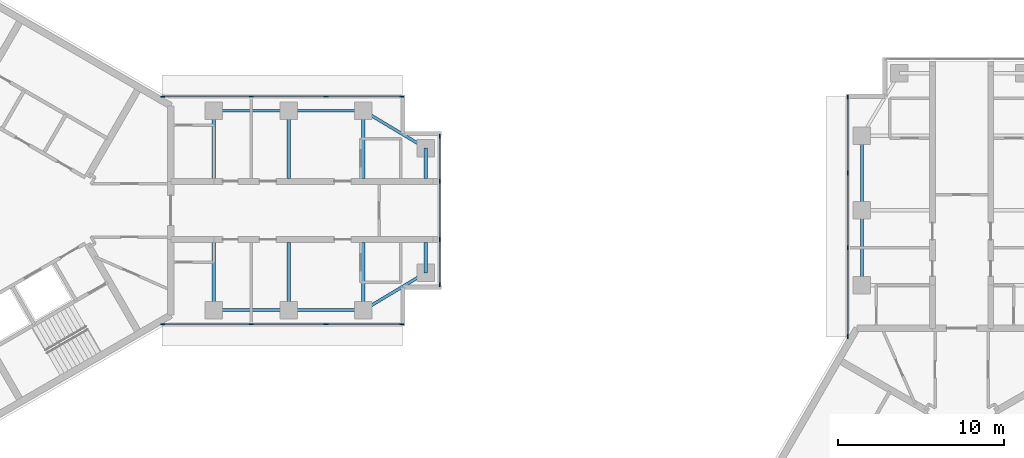
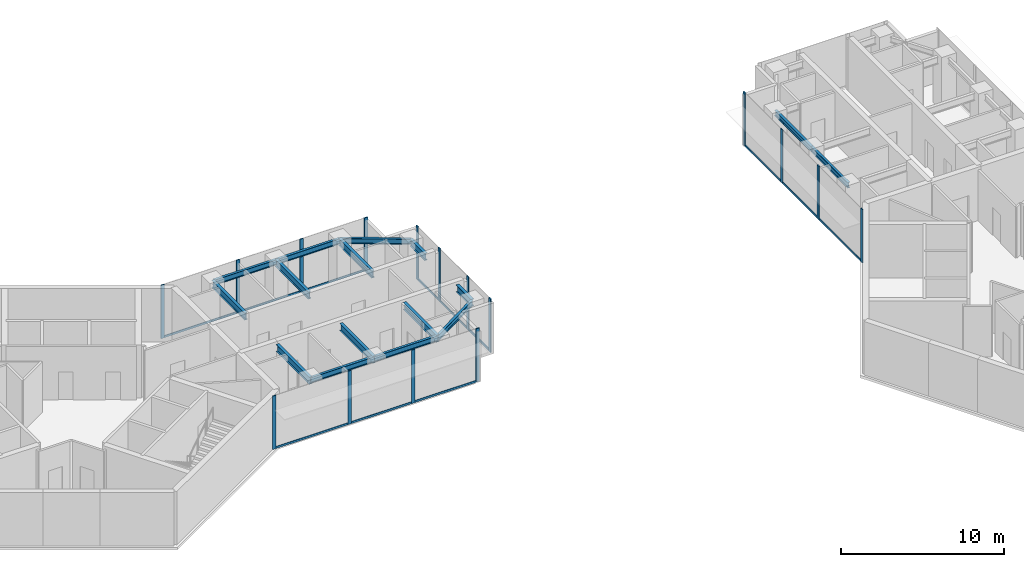
# One storey, part 2 of 11: 28 members, 16 beams, 4 elements without a shape of their own.
"""IFC4 building model written with IfcOpenShell, lengths in metres."""

import ifcopenshell
import ifcopenshell.guid

model = None  # the IFC model being written
_history = None  # IfcOwnerHistory: only IFC2X3 demands one
_inside = {}  # id of a spatial element -> (the spatial element, [elements in it])
_under = {}  # id of a project, library or spatial element -> (it, [spatial elements below it])
_declared = {}  # id of a project -> (the project, [libraries it declares])
_typed = {}  # id of a type object -> (the type object, [elements of that type])
_made_of = {}  # id of a material, layer set ... -> (it, [elements and type objects made of it])


def new_model(schema):
    """Start an empty IFC model of exactly this schema.

    Asked for "IFC4X3", IfcOpenShell would pick the latest addendum, in which some entities
    have other attributes; the version numbers below select the first issue.
    IFC2X3 requires an IfcOwnerHistory on every rooted entity: one is made here for all.
    """
    global model, _history
    if schema == "IFC4X3":
        model = ifcopenshell.file(schema_version=(4, 3, 0, 0))
    else:
        model = ifcopenshell.file(schema=schema)
    _inside.clear()
    _under.clear()
    _declared.clear()
    _typed.clear()
    _made_of.clear()
    _history = None
    if model.schema == "IFC2X3":
        org = make("IfcOrganization", Name="unknown")
        user = make(
            "IfcPersonAndOrganization",
            ThePerson=make("IfcPerson", FamilyName="unknown"),
            TheOrganization=org,
        )
        app = make(
            "IfcApplication",
            ApplicationDeveloper=org,
            Version="unknown",
            ApplicationFullName="unknown",
            ApplicationIdentifier="unknown",
        )
        _history = make(
            "IfcOwnerHistory",
            OwningUser=user,
            OwningApplication=app,
            ChangeAction="ADDED",
            CreationDate=0,
        )
    return model


def make(cls, **values):
    """One entity of the class cls with the attributes given. An attribute that is None is left unset."""
    return model.create_entity(
        cls, **{name: value for name, value in values.items() if value is not None}
    )


def rooted(cls, **values):
    """An entity with a GlobalId (a new one), such as an element, a storey or a relation."""
    return make(cls, GlobalId=ifcopenshell.guid.new(), OwnerHistory=_history, **values)


def si_unit(unit_type, name, prefix=None):
    """IfcSIUnit, for example si_unit("LENGTHUNIT", "METRE", prefix="MILLI")."""
    return make("IfcSIUnit", UnitType=unit_type, Prefix=prefix, Name=name)


def assignment(units):
    """IfcUnitAssignment: the units of a project."""
    return None if units is None else make("IfcUnitAssignment", Units=units)


def point(xyz):
    """IfcCartesianPoint."""
    return None if xyz is None else make("IfcCartesianPoint", Coordinates=xyz)


def direction(xyz):
    """IfcDirection."""
    return None if xyz is None else make("IfcDirection", DirectionRatios=xyz)


def frame(location, z_axis=None, x_axis=None):
    """IfcAxis2Placement3D, a coordinate frame: its origin and axes. An axis left out is left unset."""
    return make(
        "IfcAxis2Placement3D",
        Location=point(location),
        Axis=direction(z_axis),
        RefDirection=direction(x_axis),
    )


def frame_2d(location, x_axis=None):
    """IfcAxis2Placement2D, a coordinate frame in the plane: its origin and x axis."""
    return make(
        "IfcAxis2Placement2D", Location=point(location), RefDirection=direction(x_axis)
    )


def origin():
    """The frame at (0, 0, 0) with its axes left unset."""
    return frame((0.0, 0.0, 0.0))


def origin_2d():
    """The frame at (0, 0) in the plane with its x axis left unset."""
    return frame_2d((0.0, 0.0))


def place(relative_to, where):
    """IfcLocalPlacement: puts the frame where relative to a parent placement (None: the world)."""
    return make(
        "IfcLocalPlacement", PlacementRelTo=relative_to, RelativePlacement=where
    )


def context(
    kind, dimensions, precision=None, world=None, true_north=None, identifier=None
):
    """IfcGeometricRepresentationContext, for example the 3D "Model" context."""
    return make(
        "IfcGeometricRepresentationContext",
        ContextIdentifier=identifier,
        ContextType=kind,
        CoordinateSpaceDimension=dimensions,
        Precision=precision,
        WorldCoordinateSystem=world,
        TrueNorth=true_north,
    )


def subcontext(parent, identifier, kind, view, scale=None):
    """IfcGeometricRepresentationSubContext, for example "Body" below "Model"."""
    return make(
        "IfcGeometricRepresentationSubContext",
        ContextIdentifier=identifier,
        ContextType=kind,
        ParentContext=parent,
        TargetScale=scale,
        TargetView=view,
    )


def project(units=None, contexts=None):
    """IfcProject with its units and contexts."""
    return rooted(
        "IfcProject",
        Name="project",
        RepresentationContexts=contexts,
        UnitsInContext=assignment(units),
    )


def spatial(cls, under=None, at=None, **own):
    """A site, building, storey or space (cls), placed at a placement, below another one or the project."""
    s = rooted(cls, ObjectPlacement=at, **own)
    if under is not None:
        _under.setdefault(under.id(), (under, []))[1].append(s)
    return s


def profile(cls, at=None, kind="AREA", **sizes):
    """A parametric profile (cls). Its sizes go by their IFC names, for example OverallWidth=200.0."""
    return make(cls, ProfileType=kind, Position=at, **sizes)


def rectangle(**sizes):
    """IfcRectangleProfileDef."""
    return profile("IfcRectangleProfileDef", **sizes)


def i_section(**sizes):
    """IfcIShapeProfileDef."""
    return profile("IfcIShapeProfileDef", **sizes)


def extrude(swept, where, along, depth):
    """IfcExtrudedAreaSolid: the profile swept, set in the frame where, extruded along a direction by depth."""
    return make(
        "IfcExtrudedAreaSolid",
        SweptArea=swept,
        Position=where,
        ExtrudedDirection=direction(along),
        Depth=depth,
    )


def shape(context_of_items, identifier, shape_type, items):
    """IfcShapeRepresentation: the items that make up one representation, for example the "Body"."""
    return make(
        "IfcShapeRepresentation",
        ContextOfItems=context_of_items,
        RepresentationIdentifier=identifier,
        RepresentationType=shape_type,
        Items=items,
    )


def material(Name=None, Category=None):
    """IfcMaterial."""
    return make("IfcMaterial", Name=Name, Category=Category)


def material_profile(
    of_material, cross_section, Name=None, Category=None, Priority=None
):
    """IfcMaterialProfile: a cross section and its material."""
    return make(
        "IfcMaterialProfile",
        Name=Name,
        Material=of_material,
        Profile=cross_section,
        Priority=Priority,
        Category=Category,
    )


def profile_set(profiles, Name=None, composite=None):
    """IfcMaterialProfileSet."""
    return make(
        "IfcMaterialProfileSet",
        Name=Name,
        MaterialProfiles=profiles,
        CompositeProfile=composite,
    )


def made_of(thing, what):
    """Note that an element or type object is made of a material, layer set ...; save() writes the relation."""
    if what is not None:
        _made_of.setdefault(what.id(), (what, []))[1].append(thing)
    return thing


def type_object(cls, material=None, **own):
    """A type object (cls), such as IfcWallType, which elements share."""
    return made_of(rooted(cls, **own), material)


def element(
    cls,
    number,
    at=None,
    inside=None,
    cuts=None,
    type_object=None,
    material=None,
    context=None,
    identifier="Body",
    shape_type=None,
    held_by="IfcProductDefinitionShape",
    body=None,
    shapes=None,
    **own,
):
    """One element of the class cls, such as IfcWall. Its Tag is "e" and its number.

    at: its placement. inside: the storey or other place that contains it. cuts: it is an
    opening in that element (IfcRelVoidsElement). A single representation is given by context,
    identifier, shape_type and body (its items); several are given by shapes. held_by: the class
    of the entity that holds the representations. save() writes the other relations.
    """
    e = rooted(cls, Tag="e%d" % number, ObjectPlacement=at, **own)
    if body is not None:
        shapes = [shape(context, identifier, shape_type, body)]
    if shapes is not None:
        e.Representation = make(held_by, Representations=shapes)
    if inside is not None:
        _inside.setdefault(inside.id(), (inside, []))[1].append(e)
    if cuts is not None:
        rooted(
            "IfcRelVoidsElement", RelatingBuildingElement=cuts, RelatedOpeningElement=e
        )
    if type_object is not None:
        _typed.setdefault(type_object.id(), (type_object, []))[1].append(e)
    return made_of(e, material)


def aggregate(whole, parts):
    """IfcRelAggregates: a whole, such as a stair, and the parts it consists of."""
    return rooted("IfcRelAggregates", RelatingObject=whole, RelatedObjects=parts)


def save(model, path):
    """Write the relations noted so far, then the file.

    IfcRelAggregates (storeys below a building ...), IfcRelContainedInSpatialStructure (elements
    in a storey), IfcRelDefinesByType, IfcRelAssociatesMaterial and IfcRelDeclares: one each for
    every whole, place, type object, material and project.
    """
    for whole, parts in _under.values():
        aggregate(whole, parts)
    for where, things in _inside.values():
        rooted(
            "IfcRelContainedInSpatialStructure",
            RelatedElements=things,
            RelatingStructure=where,
        )
    for kind, things in _typed.values():
        rooted("IfcRelDefinesByType", RelatedObjects=things, RelatingType=kind)
    for what, things in _made_of.values():
        rooted("IfcRelAssociatesMaterial", RelatedObjects=things, RelatingMaterial=what)
    for by, libraries in _declared.values():
        rooted("IfcRelDeclares", RelatingContext=by, RelatedDefinitions=libraries)
    model.write(path)


model = new_model("IFC4")

# Units and contexts
model_context = context("Model", 3, precision=1e-05, world=origin(), true_north=direction((0.0, 1.0)))
body_context = subcontext(model_context, "Body", "Model", "MODEL_VIEW")
ifc_project = project(units=[si_unit("LENGTHUNIT", "METRE"), si_unit("AREAUNIT", "SQUARE_METRE"), si_unit("VOLUMEUNIT", "CUBIC_METRE"), si_unit("PLANEANGLEUNIT", "RADIAN"), si_unit("MASSUNIT", "GRAM", prefix="KILO")], contexts=[model_context])

# Site, building, storey
site_placement = place(None, origin())
site = spatial("IfcSite", under=ifc_project, at=site_placement, CompositionType="ELEMENT")
building_placement = place(site_placement, origin())
building = spatial("IfcBuilding", under=site, at=building_placement, Name="Upepo Twin Towers", CompositionType="ELEMENT")
storey_placement = place(building_placement, frame((0.0, 0.0, 255.5)))
storey = spatial("IfcBuildingStorey", under=building, at=storey_placement, Name="L62", CompositionType="ELEMENT", Elevation=255.5)

# Beams
ifc_material_1 = material(Name="Steel S355", Category="steel")
ifc_material_profile_1 = material_profile(ifc_material_1, i_section(OverallWidth=0.177978515625, OverallDepth=0.406494140625, WebThickness=0.0078125, FlangeThickness=0.0126953125, FilletRadius=0.01025390625, at=origin_2d()), Name="UB 406x178x60")
ifc_profile_set_1 = profile_set([ifc_material_profile_1], Name="Steel S355")
beam_type_1 = type_object("IfcBeamType", Name="Beam UB 406x178x60", PredefinedType="BEAM", material=ifc_profile_set_1)
for number, where, z_axis, x_axis, name in (
    (1, (13.5, 6.0, 3.5966796875), (1.0, 0.0, 0.0), (0.0, 1.0, 0.0), "T1 edge beam AL 13.5-18.0"),
    (2, (18.0, 6.0, 3.5966796875), (1.0, 0.0, 0.0), (0.0, 1.0, 0.0), "T1 edge beam AL 18.0-22.5"),
):
    element("IfcBeam", number, at=place(storey_placement, frame(where, z_axis=z_axis, x_axis=x_axis)), inside=storey, type_object=beam_type_1, Name=name, PredefinedType="BEAM", context=body_context, shape_type="SweptSolid", body=[
        extrude(i_section(OverallWidth=0.177978515625, OverallDepth=0.406494140625, WebThickness=0.0078125, FlangeThickness=0.0126953125, FilletRadius=0.01025390625, at=origin_2d()), origin(), (0.0, 0.0, 1.0), 4.5),
    ])
beam_1_placement = place(storey_placement, frame((22.5, 6.0, 3.5966796875), z_axis=(0.857492925713, -0.514495755428, 0.0), x_axis=(0.514495755428, 0.857492925713, 0.0)))
element("IfcBeam", 3, at=beam_1_placement, inside=storey, type_object=beam_type_1, Name="T1 nose edge beam AL", PredefinedType="BEAM", context=body_context, shape_type="SweptSolid", body=[
    extrude(i_section(OverallWidth=0.177978515625, OverallDepth=0.406494140625, WebThickness=0.0078125, FlangeThickness=0.0126953125, FilletRadius=0.01025390625, at=origin_2d()), origin(), (0.0, 0.0, 1.0), 4.373291015625),
])
for number, where, z_axis, x_axis, name in (
    (4, (13.5, -6.0, 3.5966796875), (1.0, 0.0, 0.0), (0.0, 1.0, 0.0), "T1 edge beam AR 13.5-18.0"),
    (5, (18.0, -6.0, 3.5966796875), (1.0, 0.0, 0.0), (0.0, 1.0, 0.0), "T1 edge beam AR 18.0-22.5"),
):
    element("IfcBeam", number, at=place(storey_placement, frame(where, z_axis=z_axis, x_axis=x_axis)), inside=storey, type_object=beam_type_1, Name=name, PredefinedType="BEAM", context=body_context, shape_type="SweptSolid", body=[
        extrude(i_section(OverallWidth=0.177978515625, OverallDepth=0.406494140625, WebThickness=0.0078125, FlangeThickness=0.0126953125, FilletRadius=0.01025390625, at=origin_2d()), origin(), (0.0, 0.0, 1.0), 4.5),
    ])
beam_2_placement = place(storey_placement, frame((22.5, -6.0, 3.5966796875), z_axis=(0.857492925713, 0.514495755428, 0.0), x_axis=(-0.514495755428, 0.857492925713, 0.0)))
element("IfcBeam", 6, at=beam_2_placement, inside=storey, type_object=beam_type_1, Name="T1 nose edge beam AR", PredefinedType="BEAM", context=body_context, shape_type="SweptSolid", body=[
    extrude(i_section(OverallWidth=0.177978515625, OverallDepth=0.406494140625, WebThickness=0.0078125, FlangeThickness=0.0126953125, FilletRadius=0.01025390625, at=origin_2d()), origin(), (0.0, 0.0, 1.0), 4.373291015625),
])
for number, where, z_axis, x_axis, name in (
    (7, (52.5, -4.5, 3.5966796875), (0.0, 1.0, 0.0), (-1.0, 0.0, 0.0), "T2 edge beam AL 13.5-18.0"),
    (8, (52.5, 0.0, 3.5966796875), (0.0, 1.0, 0.0), (-1.0, 0.0, 0.0), "T2 edge beam AL 18.0-22.5"),
):
    element("IfcBeam", number, at=place(storey_placement, frame(where, z_axis=z_axis, x_axis=x_axis)), inside=storey, type_object=beam_type_1, Name=name, PredefinedType="BEAM", context=body_context, shape_type="SweptSolid", body=[
        extrude(i_section(OverallWidth=0.177978515625, OverallDepth=0.406494140625, WebThickness=0.0078125, FlangeThickness=0.0126953125, FilletRadius=0.01025390625, at=origin_2d()), origin(), (0.0, 0.0, 1.0), 4.5),
    ])
ifc_material_2 = material(Name="Steel S355", Category="steel")
ifc_material_profile_2 = material_profile(ifc_material_2, i_section(OverallWidth=0.2099609375, OverallDepth=0.53662109375, WebThickness=0.0107421875, FlangeThickness=0.017333984375, FilletRadius=0.0126953125, at=origin_2d()), Name="UB 533x210x101")
ifc_profile_set_2 = profile_set([ifc_material_profile_2], Name="Steel S355")
beam_type_2 = type_object("IfcBeamType", Name="Beam UB 533x210x101", PredefinedType="BEAM", material=ifc_profile_set_2)
for number, where, z_axis, x_axis, name in (
    (9, (26.25, 3.75, 3.53173828125), (0.0, -1.0, 0.0), (1.0, 0.0, 0.0), "T1 nose beam AL"),
    (10, (26.25, -3.75, 3.53173828125), (0.0, 1.0, 0.0), (-1.0, 0.0, 0.0), "T1 nose beam AR"),
):
    element("IfcBeam", number, at=place(storey_placement, frame(where, z_axis=z_axis, x_axis=x_axis)), inside=storey, type_object=beam_type_2, Name=name, PredefinedType="BEAM", context=body_context, shape_type="SweptSolid", body=[
        extrude(i_section(OverallWidth=0.2099609375, OverallDepth=0.53662109375, WebThickness=0.0107421875, FlangeThickness=0.017333984375, FilletRadius=0.0126953125, at=origin_2d()), origin(), (0.0, 0.0, 1.0), 1.824951171875),
    ])
ifc_material_3 = material(Name="Steel S355", Category="steel")
ifc_material_profile_3 = material_profile(ifc_material_3, i_section(OverallWidth=0.209228515625, OverallDepth=0.533203125, WebThickness=0.010009765625, FlangeThickness=0.015625, FilletRadius=0.0126953125, at=origin_2d()), Name="UB 533x210x92")
ifc_profile_set_3 = profile_set([ifc_material_profile_3], Name="Steel S355")
beam_type_3 = type_object("IfcBeamType", Name="Beam UB 533x210x92", PredefinedType="BEAM", material=ifc_profile_set_3)
for number, where, z_axis, x_axis, name in (
    (11, (13.5, 6.0, 3.533447265625), (0.0, -1.0, 0.0), (1.0, 0.0, 0.0), "T1 girder AL at 13.5"),
    (12, (18.0, 6.0, 3.533447265625), (0.0, -1.0, 0.0), (1.0, 0.0, 0.0), "T1 girder AL at 18.0"),
    (13, (22.5, 6.0, 3.533447265625), (0.0, -1.0, 0.0), (1.0, 0.0, 0.0), "T1 girder AL at 22.5"),
    (14, (13.5, -6.0, 3.533447265625), (0.0, 1.0, 0.0), (-1.0, 0.0, 0.0), "T1 girder AR at 13.5"),
    (15, (18.0, -6.0, 3.533447265625), (0.0, 1.0, 0.0), (-1.0, 0.0, 0.0), "T1 girder AR at 18.0"),
    (16, (22.5, -6.0, 3.533447265625), (0.0, 1.0, 0.0), (-1.0, 0.0, 0.0), "T1 girder AR at 22.5"),
):
    element("IfcBeam", number, at=place(storey_placement, frame(where, z_axis=z_axis, x_axis=x_axis)), inside=storey, type_object=beam_type_3, Name=name, PredefinedType="BEAM", context=body_context, shape_type="SweptSolid", body=[
        extrude(i_section(OverallWidth=0.209228515625, OverallDepth=0.533203125, WebThickness=0.010009765625, FlangeThickness=0.015625, FilletRadius=0.0126953125, at=origin_2d()), origin(), (0.0, 0.0, 1.0), 4.074951171875),
    ])

# Curtain wall, members
ifc_material_4 = material(Name="Aluminium and fritted glass", Category="aluminium")
curtain_wall_type = type_object("IfcCurtainWallType", Name="Tower curtain wall TW4, fritted glass", PredefinedType="NOTDEFINED", material=ifc_material_4)
curtain_wall_1_placement = place(storey_placement, origin())
curtain_wall_1 = element("IfcCurtainWall", 17, at=curtain_wall_1_placement, inside=storey, type_object=curtain_wall_type, Name="T1 L62 wing A flank L curtain wall", PredefinedType="NOTDEFINED")
ifc_material_5 = material(Name="Aluminium mullion", Category="aluminium")
ifc_material_profile_4 = material_profile(ifc_material_5, rectangle(XDim=0.06494140625, YDim=0.25, at=origin_2d()), Name="MULLION 65x250")
ifc_profile_set_4 = profile_set([ifc_material_profile_4], Name="Aluminium mullion")
member_type_1 = type_object("IfcMemberType", Name="Mullion 65x250 TW4", PredefinedType="MULLION", material=ifc_profile_set_4)
member_1_placement = place(storey_placement, frame((10.419677734375, 6.85009765625, 0.0), z_axis=(0.0, 0.0, 1.0), x_axis=(0.0, 1.0, 0.0)))
member_1 = element("IfcMember", 18, at=member_1_placement, type_object=member_type_1, Name="T1 L62 wing A flank L curtain wall mullion 1", PredefinedType="MULLION", context=body_context, shape_type="SweptSolid", body=[
    extrude(rectangle(XDim=0.06494140625, YDim=0.25, at=origin_2d()), origin(), (0.0, 0.0, 1.0), 4.0),
])
member_2_placement = place(storey_placement, frame((15.75, 6.85009765625, 0.0), z_axis=(0.0, 0.0, 1.0), x_axis=(0.0, 1.0, 0.0)))
member_2 = element("IfcMember", 19, at=member_2_placement, type_object=member_type_1, Name="T1 L62 wing A flank L curtain wall mullion 2", PredefinedType="MULLION", context=body_context, shape_type="SweptSolid", body=[
    extrude(rectangle(XDim=0.06494140625, YDim=0.25, at=origin_2d()), origin(), (0.0, 0.0, 1.0), 4.0),
])
member_3_placement = place(storey_placement, frame((20.25, 6.85009765625, 0.0), z_axis=(0.0, 0.0, 1.0), x_axis=(0.0, 1.0, 0.0)))
member_3 = element("IfcMember", 20, at=member_3_placement, type_object=member_type_1, Name="T1 L62 wing A flank L curtain wall mullion 3", PredefinedType="MULLION", context=body_context, shape_type="SweptSolid", body=[
    extrude(rectangle(XDim=0.06494140625, YDim=0.25, at=origin_2d()), origin(), (0.0, 0.0, 1.0), 4.0),
])
member_4_placement = place(storey_placement, frame((24.8173828125, 6.85009765625, 0.0), z_axis=(0.0, 0.0, 1.0), x_axis=(0.0, 1.0, 0.0)))
member_4 = element("IfcMember", 21, at=member_4_placement, type_object=member_type_1, Name="T1 L62 wing A flank L curtain wall mullion 4", PredefinedType="MULLION", context=body_context, shape_type="SweptSolid", body=[
    extrude(rectangle(XDim=0.06494140625, YDim=0.25, at=origin_2d()), origin(), (0.0, 0.0, 1.0), 4.0),
])

curtain_wall_2_placement = place(storey_placement, origin())
curtain_wall_2 = element("IfcCurtainWall", 22, at=curtain_wall_2_placement, inside=storey, type_object=curtain_wall_type, Name="T1 L62 wing A flank R curtain wall", PredefinedType="NOTDEFINED")
member_5_placement = place(storey_placement, frame((24.8173828125, -6.85009765625, 0.0), z_axis=(0.0, 0.0, 1.0), x_axis=(0.0, -1.0, 0.0)))
member_5 = element("IfcMember", 23, at=member_5_placement, type_object=member_type_1, Name="T1 L62 wing A flank R curtain wall mullion 1", PredefinedType="MULLION", context=body_context, shape_type="SweptSolid", body=[
    extrude(rectangle(XDim=0.06494140625, YDim=0.25, at=origin_2d()), origin(), (0.0, 0.0, 1.0), 4.0),
])
member_6_placement = place(storey_placement, frame((20.25, -6.85009765625, 0.0), z_axis=(0.0, 0.0, 1.0), x_axis=(0.0, -1.0, 0.0)))
member_6 = element("IfcMember", 24, at=member_6_placement, type_object=member_type_1, Name="T1 L62 wing A flank R curtain wall mullion 2", PredefinedType="MULLION", context=body_context, shape_type="SweptSolid", body=[
    extrude(rectangle(XDim=0.06494140625, YDim=0.25, at=origin_2d()), origin(), (0.0, 0.0, 1.0), 4.0),
])
member_7_placement = place(storey_placement, frame((15.75, -6.85009765625, 0.0), z_axis=(0.0, 0.0, 1.0), x_axis=(0.0, -1.0, 0.0)))
member_7 = element("IfcMember", 25, at=member_7_placement, type_object=member_type_1, Name="T1 L62 wing A flank R curtain wall mullion 3", PredefinedType="MULLION", context=body_context, shape_type="SweptSolid", body=[
    extrude(rectangle(XDim=0.06494140625, YDim=0.25, at=origin_2d()), origin(), (0.0, 0.0, 1.0), 4.0),
])
member_8_placement = place(storey_placement, frame((10.419677734375, -6.85009765625, 0.0), z_axis=(0.0, 0.0, 1.0), x_axis=(0.0, -1.0, 0.0)))
member_8 = element("IfcMember", 26, at=member_8_placement, type_object=member_type_1, Name="T1 L62 wing A flank R curtain wall mullion 4", PredefinedType="MULLION", context=body_context, shape_type="SweptSolid", body=[
    extrude(rectangle(XDim=0.06494140625, YDim=0.25, at=origin_2d()), origin(), (0.0, 0.0, 1.0), 4.0),
])

curtain_wall_3_placement = place(storey_placement, origin())
curtain_wall_3 = element("IfcCurtainWall", 27, at=curtain_wall_3_placement, inside=storey, type_object=curtain_wall_type, Name="T1 L62 wing A nose curtain wall", PredefinedType="NOTDEFINED")
member_9_placement = place(storey_placement, frame((27.10009765625, -4.467529296875, 0.0), z_axis=(0.0, 0.0, 1.0), x_axis=(-1.0, 0.0, 0.0)))
member_9 = element("IfcMember", 28, at=member_9_placement, type_object=member_type_1, Name="T1 L62 wing A nose curtain wall mullion 1", PredefinedType="MULLION", context=body_context, shape_type="SweptSolid", body=[
    extrude(rectangle(XDim=0.06494140625, YDim=0.25, at=origin_2d()), origin(), (0.0, 0.0, 1.0), 4.0),
])
member_10_placement = place(storey_placement, frame((27.10009765625, -1.75, 0.0), z_axis=(0.0, 0.0, 1.0), x_axis=(-1.0, 0.0, 0.0)))
member_10 = element("IfcMember", 29, at=member_10_placement, type_object=member_type_1, Name="T1 L62 wing A nose curtain wall mullion 2", PredefinedType="MULLION", context=body_context, shape_type="SweptSolid", body=[
    extrude(rectangle(XDim=0.06494140625, YDim=0.25, at=origin_2d()), origin(), (0.0, 0.0, 1.0), 4.0),
])
member_11_placement = place(storey_placement, frame((27.10009765625, 1.75, 0.0), z_axis=(0.0, 0.0, 1.0), x_axis=(-1.0, 0.0, 0.0)))
member_11 = element("IfcMember", 30, at=member_11_placement, type_object=member_type_1, Name="T1 L62 wing A nose curtain wall mullion 3", PredefinedType="MULLION", context=body_context, shape_type="SweptSolid", body=[
    extrude(rectangle(XDim=0.06494140625, YDim=0.25, at=origin_2d()), origin(), (0.0, 0.0, 1.0), 4.0),
])
member_12_placement = place(storey_placement, frame((27.10009765625, 4.467529296875, 0.0), z_axis=(0.0, 0.0, 1.0), x_axis=(-1.0, 0.0, 0.0)))
member_12 = element("IfcMember", 31, at=member_12_placement, type_object=member_type_1, Name="T1 L62 wing A nose curtain wall mullion 4", PredefinedType="MULLION", context=body_context, shape_type="SweptSolid", body=[
    extrude(rectangle(XDim=0.06494140625, YDim=0.25, at=origin_2d()), origin(), (0.0, 0.0, 1.0), 4.0),
])

curtain_wall_4_placement = place(storey_placement, origin())
curtain_wall_4 = element("IfcCurtainWall", 32, at=curtain_wall_4_placement, inside=storey, type_object=curtain_wall_type, Name="T2 L62 wing A flank L curtain wall", PredefinedType="NOTDEFINED")
member_13_placement = place(storey_placement, frame((51.64990234375, -7.580322265625, 0.0), z_axis=(0.0, 0.0, 1.0), x_axis=(-1.0, 0.0, 0.0)))
member_13 = element("IfcMember", 33, at=member_13_placement, type_object=member_type_1, Name="T2 L62 wing A flank L curtain wall mullion 1", PredefinedType="MULLION", context=body_context, shape_type="SweptSolid", body=[
    extrude(rectangle(XDim=0.06494140625, YDim=0.25, at=origin_2d()), origin(), (0.0, 0.0, 1.0), 4.0),
])
member_14_placement = place(storey_placement, frame((51.64990234375, -2.25, 0.0), z_axis=(0.0, 0.0, 1.0), x_axis=(-1.0, 0.0, 0.0)))
member_14 = element("IfcMember", 34, at=member_14_placement, type_object=member_type_1, Name="T2 L62 wing A flank L curtain wall mullion 2", PredefinedType="MULLION", context=body_context, shape_type="SweptSolid", body=[
    extrude(rectangle(XDim=0.06494140625, YDim=0.25, at=origin_2d()), origin(), (0.0, 0.0, 1.0), 4.0),
])
member_15_placement = place(storey_placement, frame((51.64990234375, 2.25, 0.0), z_axis=(0.0, 0.0, 1.0), x_axis=(-1.0, 0.0, 0.0)))
member_15 = element("IfcMember", 35, at=member_15_placement, type_object=member_type_1, Name="T2 L62 wing A flank L curtain wall mullion 3", PredefinedType="MULLION", context=body_context, shape_type="SweptSolid", body=[
    extrude(rectangle(XDim=0.06494140625, YDim=0.25, at=origin_2d()), origin(), (0.0, 0.0, 1.0), 4.0),
])
member_16_placement = place(storey_placement, frame((51.64990234375, 6.8173828125, 0.0), z_axis=(0.0, 0.0, 1.0), x_axis=(-1.0, 0.0, 0.0)))
member_16 = element("IfcMember", 36, at=member_16_placement, type_object=member_type_1, Name="T2 L62 wing A flank L curtain wall mullion 4", PredefinedType="MULLION", context=body_context, shape_type="SweptSolid", body=[
    extrude(rectangle(XDim=0.06494140625, YDim=0.25, at=origin_2d()), origin(), (0.0, 0.0, 1.0), 4.0),
])

# Member
ifc_material_6 = material(Name="Aluminium transom", Category="aluminium")
ifc_material_profile_5 = material_profile(ifc_material_6, rectangle(XDim=0.06494140625, YDim=0.14990234375, at=origin_2d()), Name="TRANSOM 65x150")
ifc_profile_set_5 = profile_set([ifc_material_profile_5], Name="Aluminium transom")
member_type_2 = type_object("IfcMemberType", Name="Transom 65x150 TW4", PredefinedType="USERDEFINED", material=ifc_profile_set_5)
member_17_placement = place(storey_placement, frame((10.4521484375, 6.85009765625, 0.074951171875), z_axis=(1.0, 0.0, 0.0), x_axis=(0.0, 1.0, 0.0)))
member_17 = element("IfcMember", 37, at=member_17_placement, type_object=member_type_2, Name="T1 L62 wing A flank L curtain wall transom 1", ObjectType="TRANSOM", PredefinedType="USERDEFINED", context=body_context, shape_type="SweptSolid", body=[
    extrude(rectangle(XDim=0.06494140625, YDim=0.14990234375, at=origin_2d()), origin(), (0.0, 0.0, 1.0), 5.265380859375),
])

member_18_placement = place(storey_placement, frame((15.782470703125, 6.85009765625, 0.074951171875), z_axis=(1.0, 0.0, 0.0), x_axis=(0.0, 1.0, 0.0)))
member_18 = element("IfcMember", 38, at=member_18_placement, type_object=member_type_2, Name="T1 L62 wing A flank L curtain wall transom 2", ObjectType="TRANSOM", PredefinedType="USERDEFINED", context=body_context, shape_type="SweptSolid", body=[
    extrude(rectangle(XDim=0.06494140625, YDim=0.14990234375, at=origin_2d()), origin(), (0.0, 0.0, 1.0), 4.43505859375),
])

member_19_placement = place(storey_placement, frame((20.282470703125, 6.85009765625, 0.074951171875), z_axis=(1.0, 0.0, 0.0), x_axis=(0.0, 1.0, 0.0)))
member_19 = element("IfcMember", 39, at=member_19_placement, type_object=member_type_2, Name="T1 L62 wing A flank L curtain wall transom 3", ObjectType="TRANSOM", PredefinedType="USERDEFINED", context=body_context, shape_type="SweptSolid", body=[
    extrude(rectangle(XDim=0.06494140625, YDim=0.14990234375, at=origin_2d()), origin(), (0.0, 0.0, 1.0), 4.50244140625),
])

aggregate(curtain_wall_1, [member_1, member_2, member_3, member_4, member_17, member_18, member_19])

member_20_placement = place(storey_placement, frame((24.784912109375, -6.85009765625, 0.074951171875), z_axis=(-1.0, 0.0, 0.0), x_axis=(0.0, -1.0, 0.0)))
member_20 = element("IfcMember", 40, at=member_20_placement, type_object=member_type_2, Name="T1 L62 wing A flank R curtain wall transom 1", ObjectType="TRANSOM", PredefinedType="USERDEFINED", context=body_context, shape_type="SweptSolid", body=[
    extrude(rectangle(XDim=0.06494140625, YDim=0.14990234375, at=origin_2d()), origin(), (0.0, 0.0, 1.0), 4.50244140625),
])

member_21_placement = place(storey_placement, frame((20.217529296875, -6.85009765625, 0.074951171875), z_axis=(-1.0, 0.0, 0.0), x_axis=(0.0, -1.0, 0.0)))
member_21 = element("IfcMember", 41, at=member_21_placement, type_object=member_type_2, Name="T1 L62 wing A flank R curtain wall transom 2", ObjectType="TRANSOM", PredefinedType="USERDEFINED", context=body_context, shape_type="SweptSolid", body=[
    extrude(rectangle(XDim=0.06494140625, YDim=0.14990234375, at=origin_2d()), origin(), (0.0, 0.0, 1.0), 4.43505859375),
])

member_22_placement = place(storey_placement, frame((15.717529296875, -6.85009765625, 0.074951171875), z_axis=(-1.0, 0.0, 0.0), x_axis=(0.0, -1.0, 0.0)))
member_22 = element("IfcMember", 42, at=member_22_placement, type_object=member_type_2, Name="T1 L62 wing A flank R curtain wall transom 3", ObjectType="TRANSOM", PredefinedType="USERDEFINED", context=body_context, shape_type="SweptSolid", body=[
    extrude(rectangle(XDim=0.06494140625, YDim=0.14990234375, at=origin_2d()), origin(), (0.0, 0.0, 1.0), 5.265380859375),
])

aggregate(curtain_wall_2, [member_5, member_6, member_7, member_8, member_20, member_21, member_22])

member_23_placement = place(storey_placement, frame((27.10009765625, -4.43505859375, 0.074951171875), z_axis=(0.0, 1.0, 0.0), x_axis=(-1.0, 0.0, 0.0)))
member_23 = element("IfcMember", 43, at=member_23_placement, type_object=member_type_2, Name="T1 L62 wing A nose curtain wall transom 1", ObjectType="TRANSOM", PredefinedType="USERDEFINED", context=body_context, shape_type="SweptSolid", body=[
    extrude(rectangle(XDim=0.06494140625, YDim=0.14990234375, at=origin_2d()), origin(), (0.0, 0.0, 1.0), 2.652587890625),
])

member_24_placement = place(storey_placement, frame((27.10009765625, -1.717529296875, 0.074951171875), z_axis=(0.0, 1.0, 0.0), x_axis=(-1.0, 0.0, 0.0)))
member_24 = element("IfcMember", 44, at=member_24_placement, type_object=member_type_2, Name="T1 L62 wing A nose curtain wall transom 2", ObjectType="TRANSOM", PredefinedType="USERDEFINED", context=body_context, shape_type="SweptSolid", body=[
    extrude(rectangle(XDim=0.06494140625, YDim=0.14990234375, at=origin_2d()), origin(), (0.0, 0.0, 1.0), 3.43505859375),
])

member_25_placement = place(storey_placement, frame((27.10009765625, 1.782470703125, 0.074951171875), z_axis=(0.0, 1.0, 0.0), x_axis=(-1.0, 0.0, 0.0)))
member_25 = element("IfcMember", 45, at=member_25_placement, type_object=member_type_2, Name="T1 L62 wing A nose curtain wall transom 3", ObjectType="TRANSOM", PredefinedType="USERDEFINED", context=body_context, shape_type="SweptSolid", body=[
    extrude(rectangle(XDim=0.06494140625, YDim=0.14990234375, at=origin_2d()), origin(), (0.0, 0.0, 1.0), 2.652587890625),
])

aggregate(curtain_wall_3, [member_9, member_10, member_11, member_12, member_23, member_24, member_25])

member_26_placement = place(storey_placement, frame((51.64990234375, -7.5478515625, 0.074951171875), z_axis=(0.0, 1.0, 0.0), x_axis=(-1.0, 0.0, 0.0)))
member_26 = element("IfcMember", 46, at=member_26_placement, type_object=member_type_2, Name="T2 L62 wing A flank L curtain wall transom 1", ObjectType="TRANSOM", PredefinedType="USERDEFINED", context=body_context, shape_type="SweptSolid", body=[
    extrude(rectangle(XDim=0.06494140625, YDim=0.14990234375, at=origin_2d()), origin(), (0.0, 0.0, 1.0), 5.265380859375),
])

member_27_placement = place(storey_placement, frame((51.64990234375, -2.217529296875, 0.074951171875), z_axis=(0.0, 1.0, 0.0), x_axis=(-1.0, 0.0, 0.0)))
member_27 = element("IfcMember", 47, at=member_27_placement, type_object=member_type_2, Name="T2 L62 wing A flank L curtain wall transom 2", ObjectType="TRANSOM", PredefinedType="USERDEFINED", context=body_context, shape_type="SweptSolid", body=[
    extrude(rectangle(XDim=0.06494140625, YDim=0.14990234375, at=origin_2d()), origin(), (0.0, 0.0, 1.0), 4.43505859375),
])

member_28_placement = place(storey_placement, frame((51.64990234375, 2.282470703125, 0.074951171875), z_axis=(0.0, 1.0, 0.0), x_axis=(-1.0, 0.0, 0.0)))
member_28 = element("IfcMember", 48, at=member_28_placement, type_object=member_type_2, Name="T2 L62 wing A flank L curtain wall transom 3", ObjectType="TRANSOM", PredefinedType="USERDEFINED", context=body_context, shape_type="SweptSolid", body=[
    extrude(rectangle(XDim=0.06494140625, YDim=0.14990234375, at=origin_2d()), origin(), (0.0, 0.0, 1.0), 4.50244140625),
])

aggregate(curtain_wall_4, [member_13, member_14, member_15, member_16, member_26, member_27, member_28])

save(model, "model.ifc")
